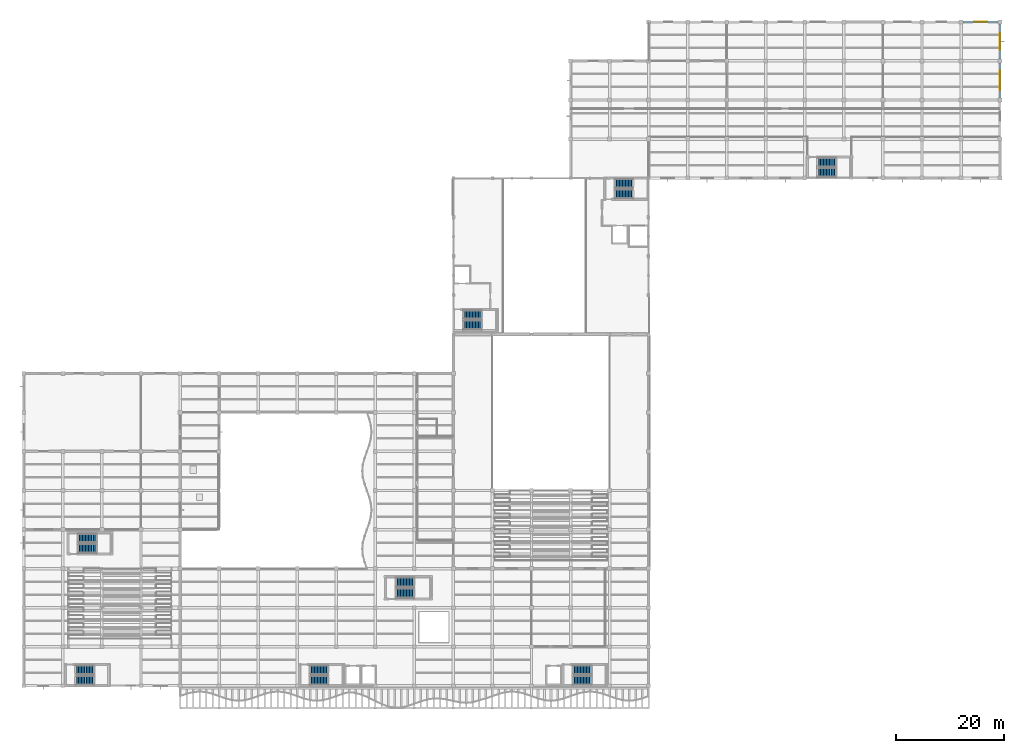
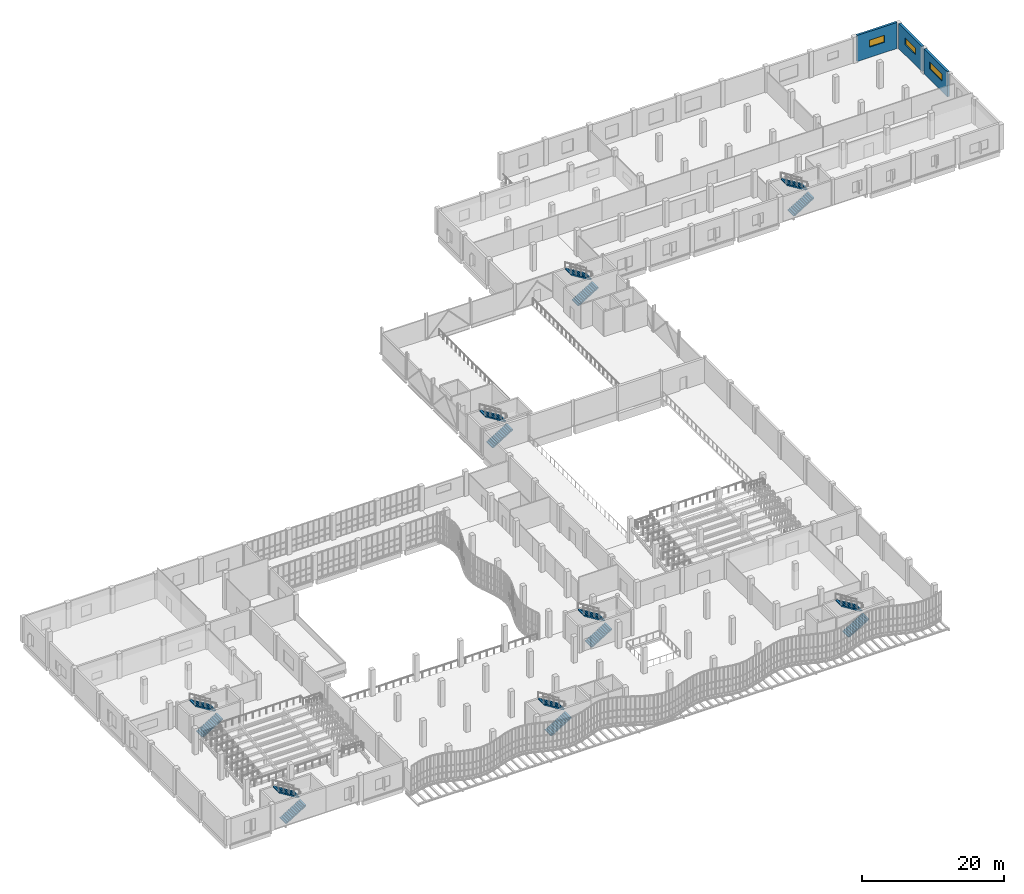
# One storey, part 94 of 108: 16 stair flights, 3 walls, 3 windows, 3 openings, 8 elements without a shape of their own.
"""IFC4 building model written with IfcOpenShell, lengths in metres."""

from ifc_helpers import new_model, si_unit, direction, frame, frame_2d, origin, place, context, subcontext, project, spatial, polyline, rectangle, outline, extrude, material, layer, layer_set, type_object, element, fill, aggregate, save


model = new_model("IFC4")

# Units and contexts
model_context = context("Model", 3, precision=1e-05, world=origin(), true_north=direction((0.0, 1.0)))
body_context = subcontext(model_context, "Body", "Model", "MODEL_VIEW")
ifc_project = project(units=[si_unit("LENGTHUNIT", "METRE"), si_unit("AREAUNIT", "SQUARE_METRE"), si_unit("VOLUMEUNIT", "CUBIC_METRE"), si_unit("PLANEANGLEUNIT", "RADIAN"), si_unit("MASSUNIT", "GRAM", prefix="KILO"), si_unit("THERMODYNAMICTEMPERATUREUNIT", "KELVIN"), si_unit("POWERUNIT", "WATT")], contexts=[model_context])

# Site, building, storey
site_placement = place(None, origin())
site = spatial("IfcSite", under=ifc_project, at=site_placement, CompositionType="ELEMENT")
building_placement = place(site_placement, origin())
building = spatial("IfcBuilding", under=site, at=building_placement, Name="Kaldorven Railside Theatre", CompositionType="ELEMENT")
storey_placement = place(building_placement, frame((0.0, 0.0, 5.39990234375)))
storey = spatial("IfcBuildingStorey", under=building, at=storey_placement, Name="L01", CompositionType="ELEMENT", Elevation=5.39990234375)

# Wall, opening, window
ifc_material_1 = material(Name="Precast concrete C40/50", Category="concrete")
ifc_layer = layer(ifc_material_1, 0.35009765625, Name="Precast concrete C40/50")
ifc_layer_set = layer_set([ifc_layer], Name="Precast concrete C40/50")
wall_type = type_object("IfcWallType", Name="WL-EW03", PredefinedType="SOLIDWALL", material=ifc_layer_set)
wall_1_placement = place(storey_placement, frame((181.14990234375, 141.60009765625, 0.0), z_axis=(0.0, 0.0, 1.0), x_axis=(1.0, 0.0, 0.0)))
wall_1 = element("IfcWall", 1, at=wall_1_placement, inside=storey, type_object=wall_type, Name="V6 L01 Exterior Wall EW-0408", PredefinedType="SOLIDWALL", context=body_context, shape_type="SweptSolid", body=[
    extrude(rectangle(XDim=6.5, YDim=0.35009765625, at=frame_2d((3.25, 0.0))), origin(), (0.0, 0.0, 1.0), 4.5),
])
opening_1_placement = place(wall_1_placement, frame((2.050048828125, 0.0, 1.800048828125)))
opening_1 = element("IfcOpeningElement", 2, at=opening_1_placement, cuts=wall_1, Name="Opening WN-090", PredefinedType="OPENING", context=body_context, shape_type="SweptSolid", body=[
    extrude(rectangle(XDim=2.39990234375, YDim=1.199951171875, at=frame_2d((1.199951171875, 0.60009765625))), frame((0.0, 0.18505859375, 0.0), z_axis=(0.0, -1.0, 0.0), x_axis=(1.0, 0.0, 0.0)), (0.0, 0.0, 1.0), 0.3701171875),
])
ifc_material_2 = material(Name="Low-E laminated solar-control glass", Category="glass")
window_type_1 = type_object("IfcWindowType", Name="WN-EW15", PartitioningType="SINGLE_PANEL", PredefinedType="WINDOW", material=ifc_material_2)
window_1_placement = place(opening_1_placement, origin())
window_1 = element("IfcWindow", 3, at=window_1_placement, inside=storey, type_object=window_type_1, Name="Shaded Acoustic Exterior Window WN-090", OverallHeight=1.199951171875, OverallWidth=2.39990234375, PartitioningType="SINGLE_PANEL", PredefinedType="WINDOW", context=body_context, shape_type="SweptSolid", body=[
    extrude(rectangle(XDim=2.39990234375, YDim=1.199951171875, at=frame_2d((1.199951171875, 0.60009765625))), frame((0.0, 0.030029296875, 0.0), z_axis=(0.0, -1.0, 0.0), x_axis=(1.0, 0.0, 0.0)), (0.0, 0.0, 1.0), 0.06005859375),
])
fill(opening_1, window_1)

wall_2_placement = place(storey_placement, frame((188.0, 141.25, 0.0), z_axis=(0.0, 0.0, 1.0), x_axis=(0.0, -1.0, 0.0)))
wall_2 = element("IfcWall", 4, at=wall_2_placement, inside=storey, type_object=wall_type, Name="V6 L01 Exterior Wall EW-0409", PredefinedType="SOLIDWALL", context=body_context, shape_type="SweptSolid", body=[
    extrude(rectangle(XDim=6.5, YDim=0.35009765625, at=frame_2d((3.25, 0.0))), origin(), (0.0, 0.0, 1.0), 4.346435546875),
])
opening_2_placement = place(wall_2_placement, frame((1.75, 0.0, 1.800048828125)))
opening_2 = element("IfcOpeningElement", 5, at=opening_2_placement, cuts=wall_2, Name="Opening WN-091", PredefinedType="OPENING", context=body_context, shape_type="SweptSolid", body=[
    extrude(rectangle(XDim=3.0, YDim=1.199951171875, at=frame_2d((1.5, 0.60009765625))), frame((0.0, 0.18505859375, 0.0), z_axis=(0.0, -1.0, 0.0), x_axis=(1.0, 0.0, 0.0)), (0.0, 0.0, 1.0), 0.3701171875),
])
window_type_2 = type_object("IfcWindowType", Name="WN-EW16", PartitioningType="SINGLE_PANEL", PredefinedType="WINDOW", material=ifc_material_2)
window_2_placement = place(opening_2_placement, origin())
window_2 = element("IfcWindow", 6, at=window_2_placement, inside=storey, type_object=window_type_2, Name="Shaded Acoustic Exterior Window WN-091", OverallHeight=1.199951171875, OverallWidth=3.0, PartitioningType="SINGLE_PANEL", PredefinedType="WINDOW", context=body_context, shape_type="SweptSolid", body=[
    extrude(rectangle(XDim=3.0, YDim=1.199951171875, at=frame_2d((1.5, 0.60009765625))), frame((0.0, 0.030029296875, 0.0), z_axis=(0.0, -1.0, 0.0), x_axis=(1.0, 0.0, 0.0)), (0.0, 0.0, 1.0), 0.06005859375),
])
fill(opening_2, window_2)

wall_3_placement = place(storey_placement, frame((188.0, 134.050048828125, 0.0), z_axis=(0.0, 0.0, 1.0), x_axis=(0.0, -1.0, 0.0)))
wall_3 = element("IfcWall", 7, at=wall_3_placement, inside=storey, type_object=wall_type, Name="V6 L01 Exterior Wall EW-0410", PredefinedType="SOLIDWALL", context=body_context, shape_type="SweptSolid", body=[
    extrude(rectangle(XDim=6.5, YDim=0.35009765625, at=frame_2d((3.25, 0.0))), origin(), (0.0, 0.0, 1.0), 4.346435546875),
])
opening_3_placement = place(wall_3_placement, frame((1.449951171875, 0.0, 1.800048828125)))
opening_3 = element("IfcOpeningElement", 8, at=opening_3_placement, cuts=wall_3, Name="Opening WN-092", PredefinedType="OPENING", context=body_context, shape_type="SweptSolid", body=[
    extrude(rectangle(XDim=3.60009765625, YDim=1.199951171875, at=frame_2d((1.800048828125, 0.60009765625))), frame((0.0, 0.18505859375, 0.0), z_axis=(0.0, -1.0, 0.0), x_axis=(1.0, 0.0, 0.0)), (0.0, 0.0, 1.0), 0.3701171875),
])
window_type_3 = type_object("IfcWindowType", Name="WN-EW17", PartitioningType="SINGLE_PANEL", PredefinedType="WINDOW", material=ifc_material_2)
window_3_placement = place(opening_3_placement, origin())
window_3 = element("IfcWindow", 9, at=window_3_placement, inside=storey, type_object=window_type_3, Name="Shaded Acoustic Exterior Window WN-092", OverallHeight=1.199951171875, OverallWidth=3.60009765625, PartitioningType="SINGLE_PANEL", PredefinedType="WINDOW", context=body_context, shape_type="SweptSolid", body=[
    extrude(rectangle(XDim=3.60009765625, YDim=1.199951171875, at=frame_2d((1.800048828125, 0.60009765625))), frame((0.0, 0.030029296875, 0.0), z_axis=(0.0, -1.0, 0.0), x_axis=(1.0, 0.0, 0.0)), (0.0, 0.0, 1.0), 0.06005859375),
])
fill(opening_3, window_3)

# Stair, stair flights
ifc_material_3 = material(Name="Concrete C35/45", Category="concrete")
stair_type_1 = type_object("IfcStairType", Name="STR-DL-03", PredefinedType="HALF_TURN_STAIR", material=ifc_material_3)
stair_1_placement = place(storey_placement, origin())
stair_1 = element("IfcStair", 10, at=stair_1_placement, inside=storey, type_object=stair_type_1, Name="L01 Core C-SW Escape Stair ST-01", PredefinedType="HALF_TURN_STAIR")
stair_flight_type_1 = type_object("IfcStairFlightType", Name="STF-DL-03", PredefinedType="STRAIGHT", material=ifc_material_3)
stair_flight_1_placement = place(storey_placement, frame((17.550048828125, 20.199951171875, 0.0), z_axis=(0.0, 0.0, 1.0), x_axis=(1.0, 0.0, 0.0)))
stair_flight_1 = element("IfcStairFlight", 11, at=stair_flight_1_placement, type_object=stair_flight_type_1, Name="ST-01 flight 1", NumberOfRisers=13, NumberOfTreads=12, PredefinedType="STRAIGHT", RiserHeight=0.173076923, TreadLength=0.28, context=body_context, shape_type="SweptSolid", body=[
    extrude(outline(polyline([(0.0, 0.0), (0.0, 0.173095703125), (0.280029296875, 0.173095703125), (0.280029296875, 0.34619140625), (0.56005859375, 0.34619140625), (0.56005859375, 0.519287109375), (0.840087890625, 0.519287109375), (0.840087890625, 0.6923828125), (1.1201171875, 0.6923828125), (1.1201171875, 0.865478515625), (1.39990234375, 0.865478515625), (1.39990234375, 1.03857421875), (1.679931640625, 1.03857421875), (1.679931640625, 1.21142578125), (1.9599609375, 1.21142578125), (1.9599609375, 1.384521484375), (2.239990234375, 1.384521484375), (2.239990234375, 1.5576171875), (2.52001953125, 1.5576171875), (2.52001953125, 1.730712890625), (2.800048828125, 1.730712890625), (2.800048828125, 1.90380859375), (3.080078125, 1.90380859375), (3.080078125, 2.076904296875), (3.360107421875, 2.076904296875), (3.360107421875, 2.25), (3.360107421875, 1.900634765625), (0.28515625, 0.0), (0.0, 0.0)])), frame((0.0, 0.85009765625, 0.0), z_axis=(0.0, -1.0, 0.0), x_axis=(1.0, 0.0, 0.0)), (0.0, 0.0, 1.0), 1.699951171875),
])
stair_flight_2_placement = place(storey_placement, frame((20.909912109375, 22.10009765625, 2.25), z_axis=(0.0, 0.0, 1.0), x_axis=(-1.0, 0.0, 0.0)))
stair_flight_2 = element("IfcStairFlight", 12, at=stair_flight_2_placement, type_object=stair_flight_type_1, Name="ST-01 flight 2", NumberOfRisers=13, NumberOfTreads=12, PredefinedType="STRAIGHT", RiserHeight=0.173076923, TreadLength=0.28, context=body_context, shape_type="SweptSolid", body=[
    extrude(outline(polyline([(0.0, 0.0), (0.0, 0.173095703125), (0.280029296875, 0.173095703125), (0.280029296875, 0.34619140625), (0.56005859375, 0.34619140625), (0.56005859375, 0.519287109375), (0.840087890625, 0.519287109375), (0.840087890625, 0.6923828125), (1.1201171875, 0.6923828125), (1.1201171875, 0.865478515625), (1.39990234375, 0.865478515625), (1.39990234375, 1.03857421875), (1.679931640625, 1.03857421875), (1.679931640625, 1.21142578125), (1.9599609375, 1.21142578125), (1.9599609375, 1.384521484375), (2.239990234375, 1.384521484375), (2.239990234375, 1.5576171875), (2.52001953125, 1.5576171875), (2.52001953125, 1.730712890625), (2.800048828125, 1.730712890625), (2.800048828125, 1.90380859375), (3.080078125, 1.90380859375), (3.080078125, 2.076904296875), (3.360107421875, 2.076904296875), (3.360107421875, 2.25), (3.360107421875, 1.900634765625), (0.28515625, 0.0), (0.0, 0.0)])), frame((0.0, 0.85009765625, 0.0), z_axis=(0.0, -1.0, 0.0), x_axis=(1.0, 0.0, 0.0)), (0.0, 0.0, 1.0), 1.699951171875),
])
aggregate(stair_1, [stair_flight_1, stair_flight_2])

stair_2_placement = place(storey_placement, origin())
stair_2 = element("IfcStair", 13, at=stair_2_placement, inside=storey, type_object=stair_type_1, Name="L01 Core C-NW Escape Stair ST-02", PredefinedType="HALF_TURN_STAIR")
stair_flight_3_placement = place(storey_placement, frame((18.0, 44.5, 0.0), z_axis=(0.0, 0.0, 1.0), x_axis=(1.0, 0.0, 0.0)))
stair_flight_3 = element("IfcStairFlight", 14, at=stair_flight_3_placement, type_object=stair_flight_type_1, Name="ST-02 flight 1", NumberOfRisers=13, NumberOfTreads=12, PredefinedType="STRAIGHT", RiserHeight=0.173076923, TreadLength=0.28, context=body_context, shape_type="SweptSolid", body=[
    extrude(outline(polyline([(0.0, 0.0), (0.0, 0.173095703125), (0.280029296875, 0.173095703125), (0.280029296875, 0.34619140625), (0.56005859375, 0.34619140625), (0.56005859375, 0.519287109375), (0.840087890625, 0.519287109375), (0.840087890625, 0.6923828125), (1.1201171875, 0.6923828125), (1.1201171875, 0.865478515625), (1.39990234375, 0.865478515625), (1.39990234375, 1.03857421875), (1.679931640625, 1.03857421875), (1.679931640625, 1.21142578125), (1.9599609375, 1.21142578125), (1.9599609375, 1.384521484375), (2.239990234375, 1.384521484375), (2.239990234375, 1.5576171875), (2.52001953125, 1.5576171875), (2.52001953125, 1.730712890625), (2.800048828125, 1.730712890625), (2.800048828125, 1.90380859375), (3.080078125, 1.90380859375), (3.080078125, 2.076904296875), (3.360107421875, 2.076904296875), (3.360107421875, 2.25), (3.360107421875, 1.900634765625), (0.28515625, 0.0), (0.0, 0.0)])), frame((0.0, 0.85009765625, 0.0), z_axis=(0.0, -1.0, 0.0), x_axis=(1.0, 0.0, 0.0)), (0.0, 0.0, 1.0), 1.699951171875),
])
stair_flight_4_placement = place(storey_placement, frame((21.360107421875, 46.39990234375, 2.25), z_axis=(0.0, 0.0, 1.0), x_axis=(-1.0, 0.0, 0.0)))
stair_flight_4 = element("IfcStairFlight", 15, at=stair_flight_4_placement, type_object=stair_flight_type_1, Name="ST-02 flight 2", NumberOfRisers=13, NumberOfTreads=12, PredefinedType="STRAIGHT", RiserHeight=0.173076923, TreadLength=0.28, context=body_context, shape_type="SweptSolid", body=[
    extrude(outline(polyline([(0.0, 0.0), (0.0, 0.173095703125), (0.280029296875, 0.173095703125), (0.280029296875, 0.34619140625), (0.56005859375, 0.34619140625), (0.56005859375, 0.519287109375), (0.840087890625, 0.519287109375), (0.840087890625, 0.6923828125), (1.1201171875, 0.6923828125), (1.1201171875, 0.865478515625), (1.39990234375, 0.865478515625), (1.39990234375, 1.03857421875), (1.679931640625, 1.03857421875), (1.679931640625, 1.21142578125), (1.9599609375, 1.21142578125), (1.9599609375, 1.384521484375), (2.239990234375, 1.384521484375), (2.239990234375, 1.5576171875), (2.52001953125, 1.5576171875), (2.52001953125, 1.730712890625), (2.800048828125, 1.730712890625), (2.800048828125, 1.90380859375), (3.080078125, 1.90380859375), (3.080078125, 2.076904296875), (3.360107421875, 2.076904296875), (3.360107421875, 2.25), (3.360107421875, 1.900634765625), (0.28515625, 0.0), (0.0, 0.0)])), frame((0.0, 0.85009765625, 0.0), z_axis=(0.0, -1.0, 0.0), x_axis=(1.0, 0.0, 0.0)), (0.0, 0.0, 1.0), 1.699951171875),
])
aggregate(stair_2, [stair_flight_3, stair_flight_4])

stair_3_placement = place(storey_placement, origin())
stair_3 = element("IfcStair", 16, at=stair_3_placement, inside=storey, type_object=stair_type_1, Name="L01 Core C-FS Escape Stair ST-03", PredefinedType="HALF_TURN_STAIR")
stair_flight_5_placement = place(storey_placement, frame((60.75, 20.199951171875, 0.0), z_axis=(0.0, 0.0, 1.0), x_axis=(1.0, 0.0, 0.0)))
stair_flight_5 = element("IfcStairFlight", 17, at=stair_flight_5_placement, type_object=stair_flight_type_1, Name="ST-03 flight 1", NumberOfRisers=13, NumberOfTreads=12, PredefinedType="STRAIGHT", RiserHeight=0.173076923, TreadLength=0.28, context=body_context, shape_type="SweptSolid", body=[
    extrude(outline(polyline([(0.0, 0.0), (0.0, 0.173095703125), (0.280029296875, 0.173095703125), (0.280029296875, 0.34619140625), (0.56005859375, 0.34619140625), (0.56005859375, 0.519287109375), (0.840087890625, 0.519287109375), (0.840087890625, 0.6923828125), (1.1201171875, 0.6923828125), (1.1201171875, 0.865478515625), (1.39990234375, 0.865478515625), (1.39990234375, 1.03857421875), (1.679931640625, 1.03857421875), (1.679931640625, 1.21142578125), (1.9599609375, 1.21142578125), (1.9599609375, 1.384521484375), (2.239990234375, 1.384521484375), (2.239990234375, 1.5576171875), (2.52001953125, 1.5576171875), (2.52001953125, 1.730712890625), (2.800048828125, 1.730712890625), (2.800048828125, 1.90380859375), (3.080078125, 1.90380859375), (3.080078125, 2.076904296875), (3.360107421875, 2.076904296875), (3.360107421875, 2.25), (3.360107421875, 1.900634765625), (0.28515625, 0.0), (0.0, 0.0)])), frame((0.0, 0.85009765625, 0.0), z_axis=(0.0, -1.0, 0.0), x_axis=(1.0, 0.0, 0.0)), (0.0, 0.0, 1.0), 1.699951171875),
])
stair_flight_6_placement = place(storey_placement, frame((64.110107421875, 22.10009765625, 2.25), z_axis=(0.0, 0.0, 1.0), x_axis=(-1.0, 0.0, 0.0)))
stair_flight_6 = element("IfcStairFlight", 18, at=stair_flight_6_placement, type_object=stair_flight_type_1, Name="ST-03 flight 2", NumberOfRisers=13, NumberOfTreads=12, PredefinedType="STRAIGHT", RiserHeight=0.173076923, TreadLength=0.28, context=body_context, shape_type="SweptSolid", body=[
    extrude(outline(polyline([(0.0, 0.0), (0.0, 0.173095703125), (0.280029296875, 0.173095703125), (0.280029296875, 0.34619140625), (0.56005859375, 0.34619140625), (0.56005859375, 0.519287109375), (0.840087890625, 0.519287109375), (0.840087890625, 0.6923828125), (1.1201171875, 0.6923828125), (1.1201171875, 0.865478515625), (1.39990234375, 0.865478515625), (1.39990234375, 1.03857421875), (1.679931640625, 1.03857421875), (1.679931640625, 1.21142578125), (1.9599609375, 1.21142578125), (1.9599609375, 1.384521484375), (2.239990234375, 1.384521484375), (2.239990234375, 1.5576171875), (2.52001953125, 1.5576171875), (2.52001953125, 1.730712890625), (2.800048828125, 1.730712890625), (2.800048828125, 1.90380859375), (3.080078125, 1.90380859375), (3.080078125, 2.076904296875), (3.360107421875, 2.076904296875), (3.360107421875, 2.25), (3.360107421875, 1.900634765625), (0.28515625, 0.0), (0.0, 0.0)])), frame((0.0, 0.85009765625, 0.0), z_axis=(0.0, -1.0, 0.0), x_axis=(1.0, 0.0, 0.0)), (0.0, 0.0, 1.0), 1.699951171875),
])
aggregate(stair_3, [stair_flight_5, stair_flight_6])

stair_4_placement = place(storey_placement, origin())
stair_4 = element("IfcStair", 19, at=stair_4_placement, inside=storey, type_object=stair_type_1, Name="L01 Core C-SE Escape Stair ST-04", PredefinedType="HALF_TURN_STAIR")
stair_flight_7_placement = place(storey_placement, frame((109.25, 20.199951171875, 0.0), z_axis=(0.0, 0.0, 1.0), x_axis=(1.0, 0.0, 0.0)))
stair_flight_7 = element("IfcStairFlight", 20, at=stair_flight_7_placement, type_object=stair_flight_type_1, Name="ST-04 flight 1", NumberOfRisers=13, NumberOfTreads=12, PredefinedType="STRAIGHT", RiserHeight=0.173076923, TreadLength=0.28, context=body_context, shape_type="SweptSolid", body=[
    extrude(outline(polyline([(0.0, 0.0), (0.0, 0.173095703125), (0.280029296875, 0.173095703125), (0.280029296875, 0.34619140625), (0.56005859375, 0.34619140625), (0.56005859375, 0.519287109375), (0.840087890625, 0.519287109375), (0.840087890625, 0.6923828125), (1.1201171875, 0.6923828125), (1.1201171875, 0.865478515625), (1.39990234375, 0.865478515625), (1.39990234375, 1.03857421875), (1.679931640625, 1.03857421875), (1.679931640625, 1.21142578125), (1.9599609375, 1.21142578125), (1.9599609375, 1.384521484375), (2.239990234375, 1.384521484375), (2.239990234375, 1.5576171875), (2.52001953125, 1.5576171875), (2.52001953125, 1.730712890625), (2.800048828125, 1.730712890625), (2.800048828125, 1.90380859375), (3.080078125, 1.90380859375), (3.080078125, 2.076904296875), (3.360107421875, 2.076904296875), (3.360107421875, 2.25), (3.360107421875, 1.900634765625), (0.28515625, 0.0), (0.0, 0.0)])), frame((0.0, 0.85009765625, 0.0), z_axis=(0.0, -1.0, 0.0), x_axis=(1.0, 0.0, 0.0)), (0.0, 0.0, 1.0), 1.699951171875),
])
stair_flight_8_placement = place(storey_placement, frame((112.610107421875, 22.10009765625, 2.25), z_axis=(0.0, 0.0, 1.0), x_axis=(-1.0, 0.0, 0.0)))
stair_flight_8 = element("IfcStairFlight", 21, at=stair_flight_8_placement, type_object=stair_flight_type_1, Name="ST-04 flight 2", NumberOfRisers=13, NumberOfTreads=12, PredefinedType="STRAIGHT", RiserHeight=0.173076923, TreadLength=0.28, context=body_context, shape_type="SweptSolid", body=[
    extrude(outline(polyline([(0.0, 0.0), (0.0, 0.173095703125), (0.280029296875, 0.173095703125), (0.280029296875, 0.34619140625), (0.56005859375, 0.34619140625), (0.56005859375, 0.519287109375), (0.840087890625, 0.519287109375), (0.840087890625, 0.6923828125), (1.1201171875, 0.6923828125), (1.1201171875, 0.865478515625), (1.39990234375, 0.865478515625), (1.39990234375, 1.03857421875), (1.679931640625, 1.03857421875), (1.679931640625, 1.21142578125), (1.9599609375, 1.21142578125), (1.9599609375, 1.384521484375), (2.239990234375, 1.384521484375), (2.239990234375, 1.5576171875), (2.52001953125, 1.5576171875), (2.52001953125, 1.730712890625), (2.800048828125, 1.730712890625), (2.800048828125, 1.90380859375), (3.080078125, 1.90380859375), (3.080078125, 2.076904296875), (3.360107421875, 2.076904296875), (3.360107421875, 2.25), (3.360107421875, 1.900634765625), (0.28515625, 0.0), (0.0, 0.0)])), frame((0.0, 0.85009765625, 0.0), z_axis=(0.0, -1.0, 0.0), x_axis=(1.0, 0.0, 0.0)), (0.0, 0.0, 1.0), 1.699951171875),
])
aggregate(stair_4, [stair_flight_7, stair_flight_8])

stair_5_placement = place(storey_placement, origin())
stair_5 = element("IfcStair", 22, at=stair_5_placement, inside=storey, type_object=stair_type_1, Name="L01 Core C-STW Escape Stair ST-05", PredefinedType="HALF_TURN_STAIR")
stair_flight_9_placement = place(storey_placement, frame((89.050048828125, 85.699951171875, 0.0), z_axis=(0.0, 0.0, 1.0), x_axis=(1.0, 0.0, 0.0)))
stair_flight_9 = element("IfcStairFlight", 23, at=stair_flight_9_placement, type_object=stair_flight_type_1, Name="ST-05 flight 1", NumberOfRisers=13, NumberOfTreads=12, PredefinedType="STRAIGHT", RiserHeight=0.173076923, TreadLength=0.28, context=body_context, shape_type="SweptSolid", body=[
    extrude(outline(polyline([(0.0, 0.0), (0.0, 0.173095703125), (0.280029296875, 0.173095703125), (0.280029296875, 0.34619140625), (0.56005859375, 0.34619140625), (0.56005859375, 0.519287109375), (0.840087890625, 0.519287109375), (0.840087890625, 0.6923828125), (1.1201171875, 0.6923828125), (1.1201171875, 0.865478515625), (1.39990234375, 0.865478515625), (1.39990234375, 1.03857421875), (1.679931640625, 1.03857421875), (1.679931640625, 1.21142578125), (1.9599609375, 1.21142578125), (1.9599609375, 1.384521484375), (2.239990234375, 1.384521484375), (2.239990234375, 1.5576171875), (2.52001953125, 1.5576171875), (2.52001953125, 1.730712890625), (2.800048828125, 1.730712890625), (2.800048828125, 1.90380859375), (3.080078125, 1.90380859375), (3.080078125, 2.076904296875), (3.360107421875, 2.076904296875), (3.360107421875, 2.25), (3.360107421875, 1.900634765625), (0.28515625, 0.0), (0.0, 0.0)])), frame((0.0, 0.85009765625, 0.0), z_axis=(0.0, -1.0, 0.0), x_axis=(1.0, 0.0, 0.0)), (0.0, 0.0, 1.0), 1.699951171875),
])
stair_flight_10_placement = place(storey_placement, frame((92.409912109375, 87.60009765625, 2.25), z_axis=(0.0, 0.0, 1.0), x_axis=(-1.0, 0.0, 0.0)))
stair_flight_10 = element("IfcStairFlight", 24, at=stair_flight_10_placement, type_object=stair_flight_type_1, Name="ST-05 flight 2", NumberOfRisers=13, NumberOfTreads=12, PredefinedType="STRAIGHT", RiserHeight=0.173076923, TreadLength=0.28, context=body_context, shape_type="SweptSolid", body=[
    extrude(outline(polyline([(0.0, 0.0), (0.0, 0.173095703125), (0.280029296875, 0.173095703125), (0.280029296875, 0.34619140625), (0.56005859375, 0.34619140625), (0.56005859375, 0.519287109375), (0.840087890625, 0.519287109375), (0.840087890625, 0.6923828125), (1.1201171875, 0.6923828125), (1.1201171875, 0.865478515625), (1.39990234375, 0.865478515625), (1.39990234375, 1.03857421875), (1.679931640625, 1.03857421875), (1.679931640625, 1.21142578125), (1.9599609375, 1.21142578125), (1.9599609375, 1.384521484375), (2.239990234375, 1.384521484375), (2.239990234375, 1.5576171875), (2.52001953125, 1.5576171875), (2.52001953125, 1.730712890625), (2.800048828125, 1.730712890625), (2.800048828125, 1.90380859375), (3.080078125, 1.90380859375), (3.080078125, 2.076904296875), (3.360107421875, 2.076904296875), (3.360107421875, 2.25), (3.360107421875, 1.900634765625), (0.28515625, 0.0), (0.0, 0.0)])), frame((0.0, 0.85009765625, 0.0), z_axis=(0.0, -1.0, 0.0), x_axis=(1.0, 0.0, 0.0)), (0.0, 0.0, 1.0), 1.699951171875),
])
aggregate(stair_5, [stair_flight_9, stair_flight_10])

stair_6_placement = place(storey_placement, origin())
stair_6 = element("IfcStair", 25, at=stair_6_placement, inside=storey, type_object=stair_type_1, Name="L01 Core C-STE Escape Stair ST-06", PredefinedType="HALF_TURN_STAIR")
stair_flight_11_placement = place(storey_placement, frame((116.949951171875, 109.89990234375, 0.0), z_axis=(0.0, 0.0, 1.0), x_axis=(1.0, 0.0, 0.0)))
stair_flight_11 = element("IfcStairFlight", 26, at=stair_flight_11_placement, type_object=stair_flight_type_1, Name="ST-06 flight 1", NumberOfRisers=13, NumberOfTreads=12, PredefinedType="STRAIGHT", RiserHeight=0.173076923, TreadLength=0.28, context=body_context, shape_type="SweptSolid", body=[
    extrude(outline(polyline([(0.0, 0.0), (0.0, 0.173095703125), (0.280029296875, 0.173095703125), (0.280029296875, 0.34619140625), (0.56005859375, 0.34619140625), (0.56005859375, 0.519287109375), (0.840087890625, 0.519287109375), (0.840087890625, 0.6923828125), (1.1201171875, 0.6923828125), (1.1201171875, 0.865478515625), (1.39990234375, 0.865478515625), (1.39990234375, 1.03857421875), (1.679931640625, 1.03857421875), (1.679931640625, 1.21142578125), (1.9599609375, 1.21142578125), (1.9599609375, 1.384521484375), (2.239990234375, 1.384521484375), (2.239990234375, 1.5576171875), (2.52001953125, 1.5576171875), (2.52001953125, 1.730712890625), (2.800048828125, 1.730712890625), (2.800048828125, 1.90380859375), (3.080078125, 1.90380859375), (3.080078125, 2.076904296875), (3.360107421875, 2.076904296875), (3.360107421875, 2.25), (3.360107421875, 1.900634765625), (0.28515625, 0.0), (0.0, 0.0)])), frame((0.0, 0.85009765625, 0.0), z_axis=(0.0, -1.0, 0.0), x_axis=(1.0, 0.0, 0.0)), (0.0, 0.0, 1.0), 1.699951171875),
])
stair_flight_12_placement = place(storey_placement, frame((120.31005859375, 111.800048828125, 2.25), z_axis=(0.0, 0.0, 1.0), x_axis=(-1.0, 0.0, 0.0)))
stair_flight_12 = element("IfcStairFlight", 27, at=stair_flight_12_placement, type_object=stair_flight_type_1, Name="ST-06 flight 2", NumberOfRisers=13, NumberOfTreads=12, PredefinedType="STRAIGHT", RiserHeight=0.173076923, TreadLength=0.28, context=body_context, shape_type="SweptSolid", body=[
    extrude(outline(polyline([(0.0, 0.0), (0.0, 0.173095703125), (0.280029296875, 0.173095703125), (0.280029296875, 0.34619140625), (0.56005859375, 0.34619140625), (0.56005859375, 0.519287109375), (0.840087890625, 0.519287109375), (0.840087890625, 0.6923828125), (1.1201171875, 0.6923828125), (1.1201171875, 0.865478515625), (1.39990234375, 0.865478515625), (1.39990234375, 1.03857421875), (1.679931640625, 1.03857421875), (1.679931640625, 1.21142578125), (1.9599609375, 1.21142578125), (1.9599609375, 1.384521484375), (2.239990234375, 1.384521484375), (2.239990234375, 1.5576171875), (2.52001953125, 1.5576171875), (2.52001953125, 1.730712890625), (2.800048828125, 1.730712890625), (2.800048828125, 1.90380859375), (3.080078125, 1.90380859375), (3.080078125, 2.076904296875), (3.360107421875, 2.076904296875), (3.360107421875, 2.25), (3.360107421875, 1.900634765625), (0.28515625, 0.0), (0.0, 0.0)])), frame((0.0, 0.85009765625, 0.0), z_axis=(0.0, -1.0, 0.0), x_axis=(1.0, 0.0, 0.0)), (0.0, 0.0, 1.0), 1.699951171875),
])
aggregate(stair_6, [stair_flight_11, stair_flight_12])

stair_7_placement = place(storey_placement, origin())
stair_7 = element("IfcStair", 28, at=stair_7_placement, inside=storey, type_object=stair_type_1, Name="L01 East Backstage Escape Stair", PredefinedType="HALF_TURN_STAIR")
stair_flight_13_placement = place(storey_placement, frame((154.35009765625, 113.800048828125, 0.0), z_axis=(0.0, 0.0, 1.0), x_axis=(1.0, 0.0, 0.0)))
stair_flight_13 = element("IfcStairFlight", 29, at=stair_flight_13_placement, type_object=stair_flight_type_1, Name="ST-08 flight 1", NumberOfRisers=13, NumberOfTreads=12, PredefinedType="STRAIGHT", RiserHeight=0.173076923, TreadLength=0.28, context=body_context, shape_type="SweptSolid", body=[
    extrude(outline(polyline([(0.0, 0.0), (0.0, 0.173095703125), (0.280029296875, 0.173095703125), (0.280029296875, 0.34619140625), (0.56005859375, 0.34619140625), (0.56005859375, 0.519287109375), (0.840087890625, 0.519287109375), (0.840087890625, 0.6923828125), (1.1201171875, 0.6923828125), (1.1201171875, 0.865478515625), (1.39990234375, 0.865478515625), (1.39990234375, 1.03857421875), (1.679931640625, 1.03857421875), (1.679931640625, 1.21142578125), (1.9599609375, 1.21142578125), (1.9599609375, 1.384521484375), (2.239990234375, 1.384521484375), (2.239990234375, 1.5576171875), (2.52001953125, 1.5576171875), (2.52001953125, 1.730712890625), (2.800048828125, 1.730712890625), (2.800048828125, 1.90380859375), (3.080078125, 1.90380859375), (3.080078125, 2.076904296875), (3.360107421875, 2.076904296875), (3.360107421875, 2.25), (3.360107421875, 1.900634765625), (0.28515625, 0.0), (0.0, 0.0)])), frame((0.0, 0.85009765625, 0.0), z_axis=(0.0, -1.0, 0.0), x_axis=(1.0, 0.0, 0.0)), (0.0, 0.0, 1.0), 1.699951171875),
])
stair_flight_14_placement = place(storey_placement, frame((157.7099609375, 115.699951171875, 2.25), z_axis=(0.0, 0.0, 1.0), x_axis=(-1.0, 0.0, 0.0)))
stair_flight_14 = element("IfcStairFlight", 30, at=stair_flight_14_placement, type_object=stair_flight_type_1, Name="ST-08 flight 2", NumberOfRisers=13, NumberOfTreads=12, PredefinedType="STRAIGHT", RiserHeight=0.173076923, TreadLength=0.28, context=body_context, shape_type="SweptSolid", body=[
    extrude(outline(polyline([(0.0, 0.0), (0.0, 0.173095703125), (0.280029296875, 0.173095703125), (0.280029296875, 0.34619140625), (0.56005859375, 0.34619140625), (0.56005859375, 0.519287109375), (0.840087890625, 0.519287109375), (0.840087890625, 0.6923828125), (1.1201171875, 0.6923828125), (1.1201171875, 0.865478515625), (1.39990234375, 0.865478515625), (1.39990234375, 1.03857421875), (1.679931640625, 1.03857421875), (1.679931640625, 1.21142578125), (1.9599609375, 1.21142578125), (1.9599609375, 1.384521484375), (2.239990234375, 1.384521484375), (2.239990234375, 1.5576171875), (2.52001953125, 1.5576171875), (2.52001953125, 1.730712890625), (2.800048828125, 1.730712890625), (2.800048828125, 1.90380859375), (3.080078125, 1.90380859375), (3.080078125, 2.076904296875), (3.360107421875, 2.076904296875), (3.360107421875, 2.25), (3.360107421875, 1.900634765625), (0.28515625, 0.0), (0.0, 0.0)])), frame((0.0, 0.85009765625, 0.0), z_axis=(0.0, -1.0, 0.0), x_axis=(1.0, 0.0, 0.0)), (0.0, 0.0, 1.0), 1.699951171875),
])
aggregate(stair_7, [stair_flight_13, stair_flight_14])

stair_type_2 = type_object("IfcStairType", Name="STR-DL-06", PredefinedType="HALF_TURN_STAIR", material=ifc_material_3)
stair_8_placement = place(storey_placement, origin())
stair_8 = element("IfcStair", 31, at=stair_8_placement, inside=storey, type_object=stair_type_2, Name="L01 Grand Foyer Ceremonial Stair", PredefinedType="HALF_TURN_STAIR")
stair_flight_type_2 = type_object("IfcStairFlightType", Name="STF-DL-06", PredefinedType="STRAIGHT", material=ifc_material_3)
stair_flight_15_placement = place(storey_placement, frame((76.60009765625, 36.25, 0.0), z_axis=(0.0, 0.0, 1.0), x_axis=(1.0, 0.0, 0.0)))
stair_flight_15 = element("IfcStairFlight", 32, at=stair_flight_15_placement, type_object=stair_flight_type_2, Name="ST-07 flight 1", NumberOfRisers=13, NumberOfTreads=12, PredefinedType="STRAIGHT", RiserHeight=0.173076923, TreadLength=0.28, context=body_context, shape_type="SweptSolid", body=[
    extrude(outline(polyline([(0.0, 0.0), (0.0, 0.173095703125), (0.280029296875, 0.173095703125), (0.280029296875, 0.34619140625), (0.56005859375, 0.34619140625), (0.56005859375, 0.519287109375), (0.840087890625, 0.519287109375), (0.840087890625, 0.6923828125), (1.1201171875, 0.6923828125), (1.1201171875, 0.865478515625), (1.39990234375, 0.865478515625), (1.39990234375, 1.03857421875), (1.679931640625, 1.03857421875), (1.679931640625, 1.21142578125), (1.9599609375, 1.21142578125), (1.9599609375, 1.384521484375), (2.239990234375, 1.384521484375), (2.239990234375, 1.5576171875), (2.52001953125, 1.5576171875), (2.52001953125, 1.730712890625), (2.800048828125, 1.730712890625), (2.800048828125, 1.90380859375), (3.080078125, 1.90380859375), (3.080078125, 2.076904296875), (3.360107421875, 2.076904296875), (3.360107421875, 2.25), (3.360107421875, 1.900634765625), (0.28515625, 0.0), (0.0, 0.0)])), frame((0.0, 0.89990234375, 0.0), z_axis=(0.0, -1.0, 0.0), x_axis=(1.0, 0.0, 0.0)), (0.0, 0.0, 1.0), 1.800048828125),
])
stair_flight_16_placement = place(storey_placement, frame((79.9599609375, 38.25, 2.25), z_axis=(0.0, 0.0, 1.0), x_axis=(-1.0, 0.0, 0.0)))
stair_flight_16 = element("IfcStairFlight", 33, at=stair_flight_16_placement, type_object=stair_flight_type_2, Name="ST-07 flight 2", NumberOfRisers=13, NumberOfTreads=12, PredefinedType="STRAIGHT", RiserHeight=0.173076923, TreadLength=0.28, context=body_context, shape_type="SweptSolid", body=[
    extrude(outline(polyline([(0.0, 0.0), (0.0, 0.173095703125), (0.280029296875, 0.173095703125), (0.280029296875, 0.34619140625), (0.56005859375, 0.34619140625), (0.56005859375, 0.519287109375), (0.840087890625, 0.519287109375), (0.840087890625, 0.6923828125), (1.1201171875, 0.6923828125), (1.1201171875, 0.865478515625), (1.39990234375, 0.865478515625), (1.39990234375, 1.03857421875), (1.679931640625, 1.03857421875), (1.679931640625, 1.21142578125), (1.9599609375, 1.21142578125), (1.9599609375, 1.384521484375), (2.239990234375, 1.384521484375), (2.239990234375, 1.5576171875), (2.52001953125, 1.5576171875), (2.52001953125, 1.730712890625), (2.800048828125, 1.730712890625), (2.800048828125, 1.90380859375), (3.080078125, 1.90380859375), (3.080078125, 2.076904296875), (3.360107421875, 2.076904296875), (3.360107421875, 2.25), (3.360107421875, 1.900634765625), (0.28515625, 0.0), (0.0, 0.0)])), frame((0.0, 0.89990234375, 0.0), z_axis=(0.0, -1.0, 0.0), x_axis=(1.0, 0.0, 0.0)), (0.0, 0.0, 1.0), 1.800048828125),
])
aggregate(stair_8, [stair_flight_15, stair_flight_16])

save(model, "model.ifc")
